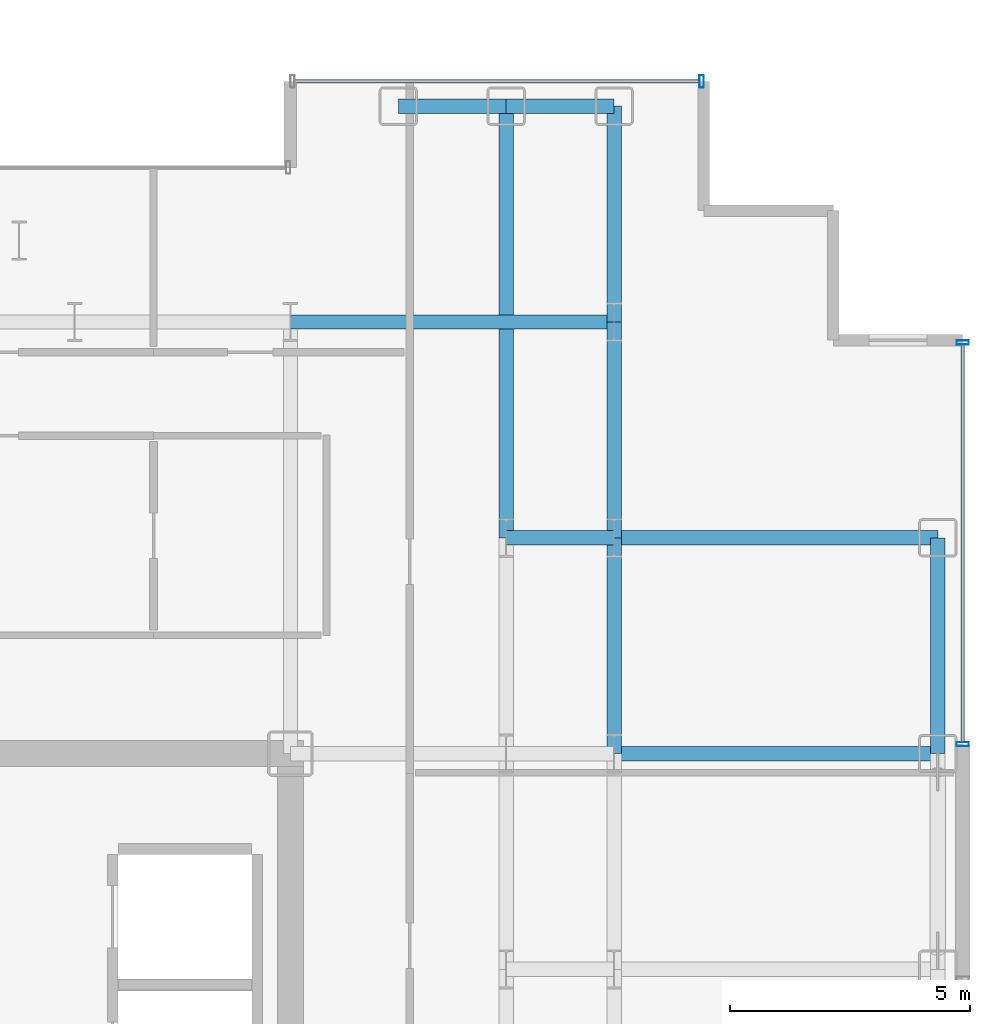
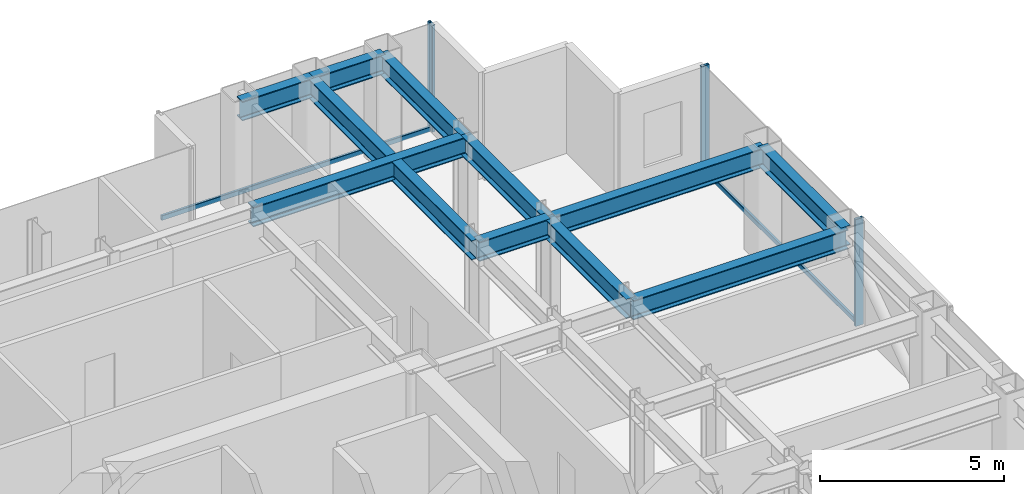
# One storey, part 17 of 27: 11 beams, 5 members, 2 elements without a shape of their own.
"""IFC4 building model written with IfcOpenShell, lengths in metres."""

from ifc_helpers import new_model, si_unit, direction, frame, origin, origin_2d, place, context, subcontext, project, spatial, hollow_rectangle, i_section, extrude, source, transform, mapped, material, layer, layer_set, material_profile, profile_set, type_object, element, aggregate, save


model = new_model("IFC4")

# Units and contexts
model_context = context("Model", 3, precision=1e-05, world=origin(), true_north=direction((0.0, 1.0)))
body_context = subcontext(model_context, "Body", "Model", "MODEL_VIEW")
ifc_project = project(units=[si_unit("LENGTHUNIT", "METRE"), si_unit("AREAUNIT", "SQUARE_METRE"), si_unit("VOLUMEUNIT", "CUBIC_METRE"), si_unit("PLANEANGLEUNIT", "RADIAN"), si_unit("MASSUNIT", "GRAM", prefix="KILO")], contexts=[model_context])

# Site, building, storey
site_placement = place(None, origin())
site = spatial("IfcSite", under=ifc_project, at=site_placement, CompositionType="ELEMENT")
building_placement = place(site_placement, origin())
building = spatial("IfcBuilding", under=site, at=building_placement, Name="Nefas-Gora Pilgrimage Tower", CompositionType="ELEMENT")
storey_placement = place(building_placement, frame((0.0, 0.0, 183.0)))
storey = spatial("IfcBuildingStorey", under=building, at=storey_placement, Name="L45", CompositionType="ELEMENT", Elevation=183.0)

# Beams
ifc_material_1 = material(Name="Steel S355", Category="steel")
ifc_material_profile_1 = material_profile(ifc_material_1, i_section(OverallWidth=0.300048828125, OverallDepth=0.64990234375, WebThickness=0.01611328125, FlangeThickness=0.031005859375, FilletRadius=0.027099609375, at=origin_2d()), Name="HEB 650")
ifc_profile_set_1 = profile_set([ifc_material_profile_1], Name="Steel S355")
beam_type_1 = type_object("IfcBeamType", Name="BM-SPN-HEB500", PredefinedType="SPANDREL", material=ifc_profile_set_1)
shared_shape_1 = source(origin(), body_context, "Body", "SweptSolid", [
    extrude(i_section(OverallWidth=0.300048828125, OverallDepth=0.64990234375, WebThickness=0.01611328125, FlangeThickness=0.031005859375, FilletRadius=0.027099609375, at=origin_2d()), origin(), (0.0, 0.0, 1.0), 4.5),
])
beam_1_placement = place(storey_placement, frame((24.75, 9.0, 3.22509765625), z_axis=(0.0, 1.0, 0.0), x_axis=(-1.0, 0.0, 0.0)))
element("IfcBeam", 1, at=beam_1_placement, inside=storey, type_object=beam_type_1, Name="L45 SP-02 beam", PredefinedType="SPANDREL", context=body_context, shape_type="MappedRepresentation", body=[
    mapped(shared_shape_1, transform((0.0, 0.0, 0.0), x_axis=(1.0, 0.0, 0.0), y_axis=(0.0, 1.0, 0.0), z_axis=(0.0, 0.0, 1.0), scale=1.0)),
])
ifc_material_profile_2 = material_profile(ifc_material_1, i_section(OverallWidth=0.300048828125, OverallDepth=0.64990234375, WebThickness=0.01611328125, FlangeThickness=0.031005859375, FilletRadius=0.027099609375, at=origin_2d()), Name="HEB 650")
ifc_profile_set_2 = profile_set([ifc_material_profile_2], Name="Steel S355")
beam_type_2 = type_object("IfcBeamType", Name="BM-GIR-HEB650", PredefinedType="BEAM", material=ifc_profile_set_2)
shared_shape_2 = source(origin(), body_context, "Body", "SweptSolid", [
    extrude(i_section(OverallWidth=0.300048828125, OverallDepth=0.64990234375, WebThickness=0.01611328125, FlangeThickness=0.031005859375, FilletRadius=0.027099609375, at=origin_2d()), origin(), (0.0, 0.0, 1.0), 9.0),
])
beam_2_placement = place(storey_placement, frame((15.75, 13.5, 3.22509765625), z_axis=(0.0, 1.0, 0.0), x_axis=(-1.0, 0.0, 0.0)))
element("IfcBeam", 2, at=beam_2_placement, inside=storey, type_object=beam_type_2, Name="L45 G-03 beam", PredefinedType="BEAM", context=body_context, shape_type="MappedRepresentation", body=[
    mapped(shared_shape_2, transform((0.0, 0.0, 0.0), x_axis=(1.0, 0.0, 0.0), y_axis=(0.0, 1.0, 0.0), z_axis=(0.0, 0.0, 1.0), scale=1.0)),
])
shared_shape_3 = source(origin(), body_context, "Body", "SweptSolid", [
    extrude(i_section(OverallWidth=0.300048828125, OverallDepth=0.64990234375, WebThickness=0.01611328125, FlangeThickness=0.031005859375, FilletRadius=0.027099609375, at=origin_2d()), origin(), (0.0, 0.0, 1.0), 4.5),
])
for number, where, z_axis, x_axis, name in (
    (3, (18.0, 9.0, 3.22509765625), (0.0, 1.0, 0.0), (-1.0, 0.0, 0.0), "L45 G-03 beam"),
    (4, (18.0, 13.5, 3.22509765625), (0.0, 1.0, 0.0), (-1.0, 0.0, 0.0), "L45 G-03 beam"),
    (5, (18.0, 18.0, 3.22509765625), (0.0, 1.0, 0.0), (-1.0, 0.0, 0.0), "L45 G-03 beam"),
):
    element("IfcBeam", number, at=place(storey_placement, frame(where, z_axis=z_axis, x_axis=x_axis)), inside=storey, type_object=beam_type_2, Name=name, PredefinedType="BEAM", context=body_context, shape_type="MappedRepresentation", body=[
        mapped(shared_shape_3, transform((0.0, 0.0, 0.0), x_axis=(1.0, 0.0, 0.0), y_axis=(0.0, 1.0, 0.0), z_axis=(0.0, 0.0, 1.0), scale=1.0)),
    ])
shared_shape_4 = source(origin(), body_context, "Body", "SweptSolid", [
    extrude(i_section(OverallWidth=0.300048828125, OverallDepth=0.64990234375, WebThickness=0.01611328125, FlangeThickness=0.031005859375, FilletRadius=0.027099609375, at=origin_2d()), origin(), (0.0, 0.0, 1.0), 6.75),
])
for number, where, z_axis, x_axis, name in (
    (6, (11.25, 18.0, 3.22509765625), (1.0, 0.0, 0.0), (0.0, 1.0, 0.0), "L45 G-03 beam"),
    (7, (18.0, 9.0, 3.22509765625), (1.0, 0.0, 0.0), (0.0, 1.0, 0.0), "L45 G-03 beam"),
    (8, (18.0, 13.5, 3.22509765625), (1.0, 0.0, 0.0), (0.0, 1.0, 0.0), "L45 G-03 beam"),
):
    element("IfcBeam", number, at=place(storey_placement, frame(where, z_axis=z_axis, x_axis=x_axis)), inside=storey, type_object=beam_type_2, Name=name, PredefinedType="BEAM", context=body_context, shape_type="MappedRepresentation", body=[
        mapped(shared_shape_4, transform((0.0, 0.0, 0.0), x_axis=(1.0, 0.0, 0.0), y_axis=(0.0, 1.0, 0.0), z_axis=(0.0, 0.0, 1.0), scale=1.0)),
    ])
shared_shape_5 = source(origin(), body_context, "Body", "SweptSolid", [
    extrude(i_section(OverallWidth=0.300048828125, OverallDepth=0.64990234375, WebThickness=0.01611328125, FlangeThickness=0.031005859375, FilletRadius=0.027099609375, at=origin_2d()), origin(), (0.0, 0.0, 1.0), 2.25),
])
for number, where, z_axis, x_axis, name in (
    (9, (13.5, 22.5, 3.22509765625), (1.0, 0.0, 0.0), (0.0, 1.0, 0.0), "L45 SP-02 beam"),
    (10, (15.75, 22.5, 3.22509765625), (1.0, 0.0, 0.0), (0.0, 1.0, 0.0), "L45 SP-02 beam"),
):
    element("IfcBeam", number, at=place(storey_placement, frame(where, z_axis=z_axis, x_axis=x_axis)), inside=storey, type_object=beam_type_1, Name=name, PredefinedType="SPANDREL", context=body_context, shape_type="MappedRepresentation", body=[
        mapped(shared_shape_5, transform((0.0, 0.0, 0.0), x_axis=(1.0, 0.0, 0.0), y_axis=(0.0, 1.0, 0.0), z_axis=(0.0, 0.0, 1.0), scale=1.0)),
    ])
shared_shape_6 = source(origin(), body_context, "Body", "SweptSolid", [
    extrude(i_section(OverallWidth=0.300048828125, OverallDepth=0.64990234375, WebThickness=0.01611328125, FlangeThickness=0.031005859375, FilletRadius=0.027099609375, at=origin_2d()), origin(), (0.0, 0.0, 1.0), 2.25),
])
beam_3_placement = place(storey_placement, frame((15.75, 13.5, 3.22509765625), z_axis=(1.0, 0.0, 0.0), x_axis=(0.0, 1.0, 0.0)))
element("IfcBeam", 11, at=beam_3_placement, inside=storey, type_object=beam_type_2, Name="L45 G-03 beam", PredefinedType="BEAM", context=body_context, shape_type="MappedRepresentation", body=[
    mapped(shared_shape_6, transform((0.0, 0.0, 0.0), x_axis=(1.0, 0.0, 0.0), y_axis=(0.0, 1.0, 0.0), z_axis=(0.0, 0.0, 1.0), scale=1.0)),
])

# Curtain wall, members
ifc_material_2 = material(Name="Dark ceramic-fritted solar-control aluminium-glass curtain wall", Category="aluminium")
ifc_layer = layer(ifc_material_2, 0.219970703125)
ifc_layer_set = layer_set([ifc_layer], Name="Dark ceramic-fritted solar-control aluminium-glass curtain wall")
curtain_wall_type = type_object("IfcCurtainWallType", Name="CW-SYS-3", PredefinedType="NOTDEFINED", material=ifc_layer_set)
curtain_wall_1_placement = place(storey_placement, origin())
curtain_wall_1 = element("IfcCurtainWall", 12, at=curtain_wall_1_placement, inside=storey, type_object=curtain_wall_type, Name="L45 Unitised Curtain Wall CW3", PredefinedType="NOTDEFINED")
ifc_material_3 = material(Name="Anodised architectural aluminium", Category="aluminium")
ifc_material_profile_3 = material_profile(ifc_material_3, hollow_rectangle(XDim=0.090087890625, YDim=0.260009765625, WallThickness=0.006103515625, InnerFilletRadius=0.006103515625, OuterFilletRadius=0.011962890625, at=origin_2d()), Name="ALU MULLION 90x260")
ifc_profile_set_3 = profile_set([ifc_material_profile_3], Name="Anodised architectural aluminium")
member_type_1 = type_object("IfcMemberType", Name="CWM-MUL-3", PredefinedType="MULLION", material=ifc_profile_set_3)
shared_shape_7 = source(origin(), body_context, "Body", "SweptSolid", [
    extrude(hollow_rectangle(XDim=0.090087890625, YDim=0.260009765625, WallThickness=0.006103515625, InnerFilletRadius=0.006103515625, OuterFilletRadius=0.011962890625, at=origin_2d()), origin(), (0.0, 0.0, 1.0), 3.550048828125),
])
member_1_placement = place(storey_placement, frame((25.27001953125, 9.195068359375, 0.0), z_axis=(0.0, 0.0, 1.0), x_axis=(0.0, 1.0, 0.0)))
member_1 = element("IfcMember", 13, at=member_1_placement, type_object=member_type_1, Name="CW3 Mullion 1", PredefinedType="MULLION", context=body_context, shape_type="MappedRepresentation", body=[
    mapped(shared_shape_7, transform((0.0, 0.0, 0.0), x_axis=(1.0, 0.0, 0.0), y_axis=(0.0, 1.0, 0.0), z_axis=(0.0, 0.0, 1.0), scale=1.0)),
])
member_2_placement = place(storey_placement, frame((25.27001953125, 17.574951171875, 0.0), z_axis=(0.0, 0.0, 1.0), x_axis=(0.0, 1.0, 0.0)))
member_2 = element("IfcMember", 14, at=member_2_placement, type_object=member_type_1, Name="CW3 Mullion 2", PredefinedType="MULLION", context=body_context, shape_type="MappedRepresentation", body=[
    mapped(shared_shape_7, transform((0.0, 0.0, 0.0), x_axis=(1.0, 0.0, 0.0), y_axis=(0.0, 1.0, 0.0), z_axis=(0.0, 0.0, 1.0), scale=1.0)),
])

curtain_wall_2_placement = place(storey_placement, origin())
curtain_wall_2 = element("IfcCurtainWall", 15, at=curtain_wall_2_placement, inside=storey, type_object=curtain_wall_type, Name="L45 Unitised Curtain Wall CW3", PredefinedType="NOTDEFINED")
member_3_placement = place(storey_placement, frame((19.824951171875, 23.02001953125, 0.0), z_axis=(0.0, 0.0, 1.0), x_axis=(-1.0, 0.0, 0.0)))
member_3 = element("IfcMember", 16, at=member_3_placement, type_object=member_type_1, Name="CW3 Mullion 1", PredefinedType="MULLION", context=body_context, shape_type="MappedRepresentation", body=[
    mapped(shared_shape_7, transform((0.0, 0.0, 0.0), x_axis=(1.0, 0.0, 0.0), y_axis=(0.0, 1.0, 0.0), z_axis=(0.0, 0.0, 1.0), scale=1.0)),
])
ifc_material_profile_4 = material_profile(ifc_material_3, hollow_rectangle(XDim=0.080078125, YDim=0.159912109375, WallThickness=0.00439453125, InnerFilletRadius=0.00439453125, OuterFilletRadius=0.009033203125, at=origin_2d()), Name="ALU TRANSOM 80x160")
ifc_profile_set_4 = profile_set([ifc_material_profile_4], Name="Anodised architectural aluminium")
member_type_2 = type_object("IfcMemberType", Name="CWM-TRN-3", PredefinedType="USERDEFINED", material=ifc_profile_set_4)
shared_shape_8 = source(origin(), body_context, "Body", "SweptSolid", [
    extrude(hollow_rectangle(XDim=0.080078125, YDim=0.159912109375, WallThickness=0.00439453125, InnerFilletRadius=0.00439453125, OuterFilletRadius=0.009033203125, at=origin_2d()), origin(), (0.0, 0.0, 1.0), 8.43994140625),
])
member_4_placement = place(storey_placement, frame((19.780029296875, 23.02001953125, 0.050048828125), z_axis=(-1.0, 0.0, 0.0), x_axis=(0.0, -1.0, 0.0)))
member_4 = element("IfcMember", 17, at=member_4_placement, type_object=member_type_2, Name="CW3 Spandrel Transom", ObjectType="TRANSOM", PredefinedType="USERDEFINED", context=body_context, shape_type="MappedRepresentation", body=[
    mapped(shared_shape_8, transform((0.0, 0.0, 0.0), x_axis=(1.0, 0.0, 0.0), y_axis=(0.0, 1.0, 0.0), z_axis=(0.0, 0.0, 1.0), scale=1.0)),
])
aggregate(curtain_wall_2, [member_3, member_4])

# Member
shared_shape_9 = source(origin(), body_context, "Body", "SweptSolid", [
    extrude(hollow_rectangle(XDim=0.080078125, YDim=0.159912109375, WallThickness=0.00439453125, InnerFilletRadius=0.00439453125, OuterFilletRadius=0.009033203125, at=origin_2d()), origin(), (0.0, 0.0, 1.0), 8.2900390625),
])
member_5_placement = place(storey_placement, frame((25.27001953125, 9.239990234375, 0.050048828125), z_axis=(0.0, 1.0, 0.0), x_axis=(-1.0, 0.0, 0.0)))
member_5 = element("IfcMember", 18, at=member_5_placement, type_object=member_type_2, Name="CW3 Spandrel Transom", ObjectType="TRANSOM", PredefinedType="USERDEFINED", context=body_context, shape_type="MappedRepresentation", body=[
    mapped(shared_shape_9, transform((0.0, 0.0, 0.0), x_axis=(1.0, 0.0, 0.0), y_axis=(0.0, 1.0, 0.0), z_axis=(0.0, 0.0, 1.0), scale=1.0)),
])

aggregate(curtain_wall_1, [member_1, member_2, member_5])

save(model, "model.ifc")
